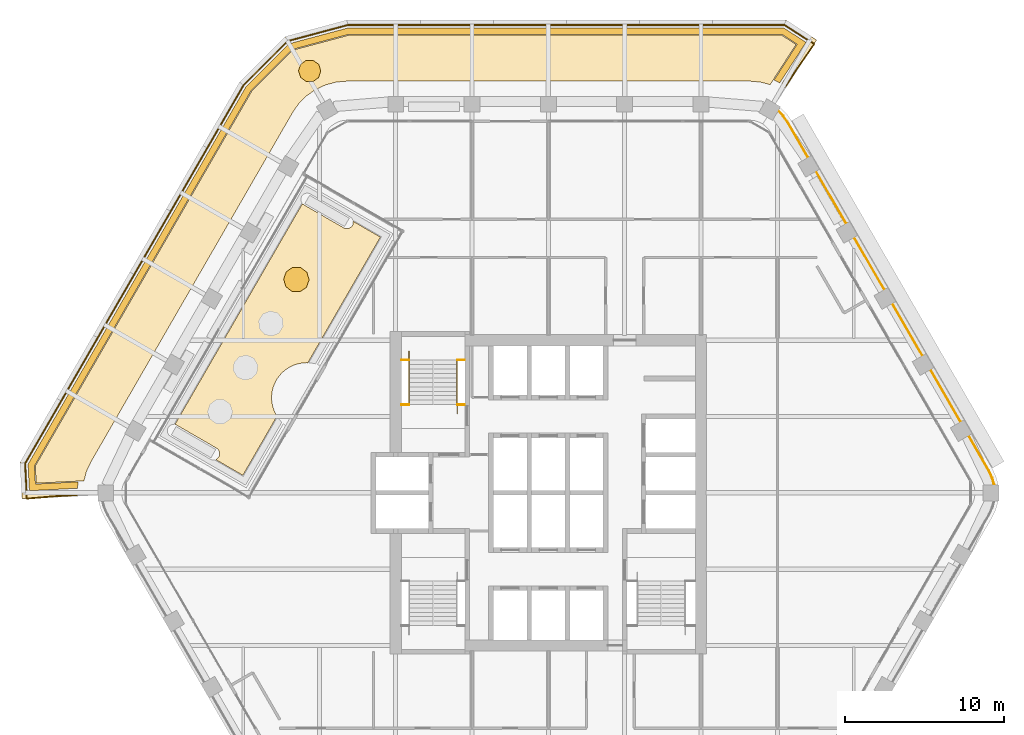
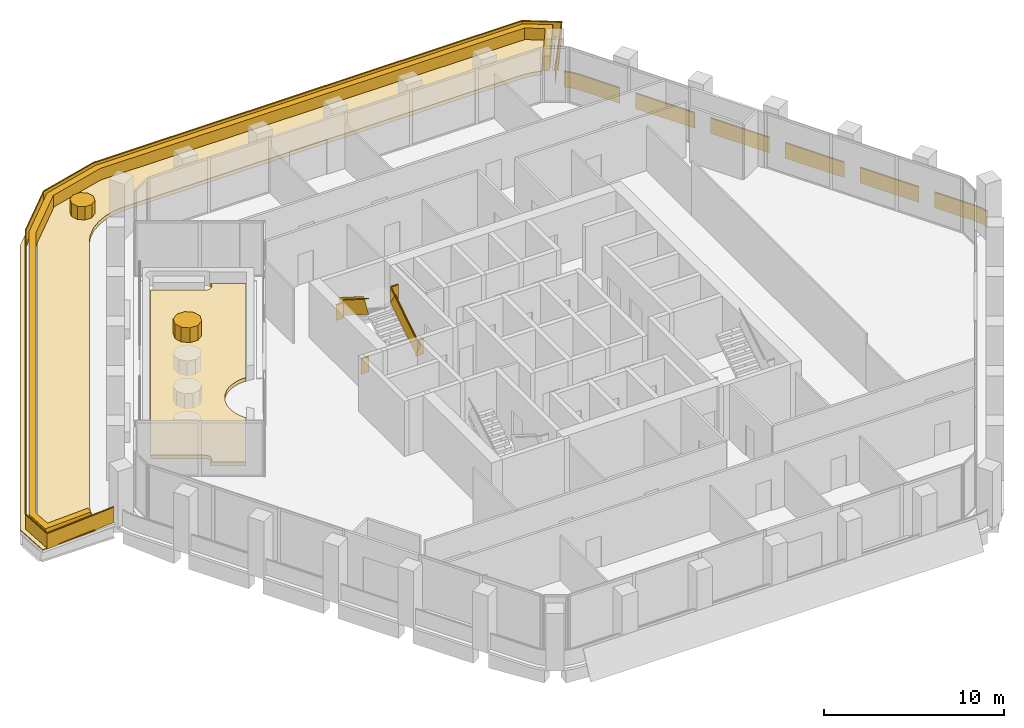
# One storey, part 18 of 18: 6 coverings, 4 railings.
"""IFC4 building model written with IfcOpenShell, lengths in metres."""

from ifc_helpers import new_model, si_unit, direction, frame, frame_2d, origin, origin_2d, place, context, subcontext, project, spatial, polyline, rectangle, outline, extrude, material, layer, layer_set, type_object, element, save


model = new_model("IFC4")

# Units and contexts
model_context = context("Model", 3, precision=1e-05, world=origin(), true_north=direction((0.0, 1.0)))
body_context = subcontext(model_context, "Body", "Model", "MODEL_VIEW")
ifc_project = project(units=[si_unit("LENGTHUNIT", "METRE"), si_unit("AREAUNIT", "SQUARE_METRE"), si_unit("VOLUMEUNIT", "CUBIC_METRE"), si_unit("PLANEANGLEUNIT", "RADIAN"), si_unit("MASSUNIT", "GRAM", prefix="KILO")], contexts=[model_context])

# Site, building, storey
site_placement = place(None, origin())
site = spatial("IfcSite", under=ifc_project, at=site_placement, CompositionType="ELEMENT")
building_placement = place(site_placement, origin())
building = spatial("IfcBuilding", under=site, at=building_placement, Name="Kolab Exchange Tower", CompositionType="ELEMENT")
storey_placement = place(building_placement, frame((0.0, 0.0, 150.5)))
storey = spatial("IfcBuildingStorey", under=building, at=storey_placement, Name="L30", CompositionType="ELEMENT", Elevation=150.5)

# Covering
ifc_material_1 = material(Name="Flowering shrub planting", Category="soil")
ifc_layer_1 = layer(ifc_material_1, 1.0)
ifc_layer_set_1 = layer_set([ifc_layer_1], Name="Flowering shrub planting")
covering_type_1 = type_object("IfcCoveringType", Name="FLOWERING SHRUB PLANTING", PredefinedType="USERDEFINED", material=ifc_layer_set_1)
covering_1_placement = place(storey_placement, frame((0.0, 0.0, 0.25)))
element("IfcCovering", 1, at=covering_1_placement, inside=storey, type_object=covering_type_1, Name="Flowering shrub", ObjectType="PLANTING", PredefinedType="USERDEFINED", context=body_context, shape_type="SweptSolid", body=[
    extrude(outline(polyline([(-15.1884765625, 13.87060546875), (-15.580078125, 14.17236328125), (-16.074462890625, 14.1865234375), (-16.482421875, 13.9072265625), (-16.6484375, 13.44140625), (-16.509033203125, 12.967041015625), (-16.117431640625, 12.665283203125), (-15.623291015625, 12.6513671875), (-15.215087890625, 12.930419921875), (-15.049072265625, 13.396240234375), (-15.1884765625, 13.87060546875)])), origin(), (0.0, 0.0, 1.0), 1.0),
])

# Railings
ifc_material_2 = material(Name="Stainless steel 316", Category="steel")
railing_type_1 = type_object("IfcRailingType", Name="GUARD 1100", PredefinedType="GUARDRAIL", material=ifc_material_2)
railing_1_placement = place(storey_placement, frame((-9.25, 5.550048828125, 0.0)))
element("IfcRailing", 2, at=railing_1_placement, inside=storey, type_object=railing_type_1, Name="Guard ST1", PredefinedType="GUARDRAIL", context=body_context, shape_type="SweptSolid", body=[
    extrude(rectangle(XDim=0.05, YDim=0.05, at=origin_2d()), frame((0.0, 0.0, 1.0751953125), z_axis=(1.0, 0.0, 0.0), x_axis=(0.0, 1.0, 0.0)), (0.0, 0.0, 1.0), 0.489990234375),
    extrude(rectangle(XDim=0.012, YDim=1.05009765625, at=frame_2d((0.0, 0.525146484375))), frame((0.0, 0.0, 0.0), z_axis=(1.0, 0.0, 0.0), x_axis=(0.0, 1.0, 0.0)), (0.0, 0.0, 1.0), 0.489990234375),
    extrude(rectangle(XDim=0.05, YDim=0.05, at=origin_2d()), frame((3.510009765625, 0.0, 1.0751953125), z_axis=(1.0, 0.0, 0.0), x_axis=(0.0, 1.0, 0.0)), (0.0, 0.0, 1.0), 0.489990234375),
    extrude(rectangle(XDim=0.012, YDim=1.05009765625, at=frame_2d((0.0, 0.525146484375))), frame((3.510009765625, 0.0, 0.0), z_axis=(1.0, 0.0, 0.0), x_axis=(0.0, 1.0, 0.0)), (0.0, 0.0, 1.0), 0.489990234375),
    extrude(rectangle(XDim=0.05, YDim=0.05, at=origin_2d()), frame((0.0, 2.800048828125, 3.025146484375), z_axis=(1.0, 0.0, 0.0), x_axis=(0.0, 1.0, 0.0)), (0.0, 0.0, 1.0), 0.489990234375),
    extrude(rectangle(XDim=0.012, YDim=1.05009765625, at=frame_2d((0.0, 0.525146484375))), frame((0.0, 2.800048828125, 1.949951171875), z_axis=(1.0, 0.0, 0.0), x_axis=(0.0, 1.0, 0.0)), (0.0, 0.0, 1.0), 0.489990234375),
    extrude(rectangle(XDim=0.05, YDim=0.05, at=origin_2d()), frame((3.510009765625, 2.800048828125, 3.025146484375), z_axis=(1.0, 0.0, 0.0), x_axis=(0.0, 1.0, 0.0)), (0.0, 0.0, 1.0), 0.489990234375),
    extrude(rectangle(XDim=0.012, YDim=1.05009765625, at=frame_2d((0.0, 0.525146484375))), frame((3.510009765625, 2.800048828125, 1.949951171875), z_axis=(1.0, 0.0, 0.0), x_axis=(0.0, 1.0, 0.0)), (0.0, 0.0, 1.0), 0.489990234375),
])
railing_2_placement = place(storey_placement, frame((-5.739990234375, 5.550048828125, 0.17724609375)))
element("IfcRailing", 3, at=railing_2_placement, inside=storey, type_object=railing_type_1, Name="Handrail guard ST1", PredefinedType="GUARDRAIL", context=body_context, shape_type="SweptSolid", body=[
    extrude(rectangle(XDim=0.05, YDim=0.05, at=origin_2d()), frame((0.0, 0.0, 1.0751953125), z_axis=(0.0, 0.844908973607, 0.534910110503), x_axis=(-1.0, 0.0, 0.0)), (0.0, 0.0, 1.0), 3.31396484375),
    extrude(rectangle(XDim=0.012, YDim=1.05009765625, at=frame_2d((0.0, 0.525146484375))), frame((0.0, 0.0, 0.0), z_axis=(0.0, 0.844908973607, 0.534910110503), x_axis=(-1.0, 0.0, 0.0)), (0.0, 0.0, 1.0), 3.31396484375),
    extrude(rectangle(XDim=0.05, YDim=0.05, at=origin_2d()), frame((-3.02001953125, 2.800048828125, 3.025146484375), z_axis=(0.0, -0.844908973607, 0.534910110503), x_axis=(1.0, 0.0, 0.0)), (0.0, 0.0, 1.0), 3.31396484375),
    extrude(rectangle(XDim=0.012, YDim=1.05009765625, at=frame_2d((0.0, 0.525146484375))), frame((-3.02001953125, 2.800048828125, 1.949951171875), z_axis=(0.0, -0.844908973607, 0.534910110503), x_axis=(1.0, 0.0, 0.0)), (0.0, 0.0, 1.0), 3.31396484375),
])
ifc_material_3 = material(Name="Steel S235", Category="steel")
railing_type_2 = type_object("IfcRailingType", Name="GUARD 1100 GLASS BALUSTRADE AND STEEL TOP RAIL", PredefinedType="GUARDRAIL", material=ifc_material_3)
railing_3_placement = place(storey_placement, frame((28.038818359375, 0.49755859375, 0.0)))
element("IfcRailing", 4, at=railing_3_placement, inside=storey, type_object=railing_type_2, Name="Guard", PredefinedType="GUARDRAIL", context=body_context, shape_type="SweptSolid", body=[
    extrude(rectangle(XDim=0.05, YDim=0.05, at=origin_2d()), frame((0.0, 0.0, 1.0751953125), z_axis=(-0.25865627591, 0.965969425465, 0.0), x_axis=(-0.965969425465, -0.25865627591, 0.0)), (0.0, 0.0, 1.0), 0.458740234375),
    extrude(rectangle(XDim=0.012, YDim=1.05009765625, at=frame_2d((0.0, 0.525146484375))), frame((0.0, 0.0, 0.0), z_axis=(-0.25865627591, 0.965969425465, 0.0), x_axis=(-0.965969425465, -0.25865627591, 0.0)), (0.0, 0.0, 1.0), 0.458740234375),
    extrude(rectangle(XDim=0.05, YDim=0.05, at=origin_2d()), frame((-0.11865234375, 0.443115234375, 1.0751953125), z_axis=(-0.422801802984, 0.906222177721, 0.0), x_axis=(-0.906222177721, -0.422801802984, 0.0)), (0.0, 0.0, 1.0), 0.479248046875),
    extrude(rectangle(XDim=0.012, YDim=1.05009765625, at=frame_2d((0.0, 0.525146484375))), frame((-0.11865234375, 0.443115234375, 0.0), z_axis=(-0.422801802984, 0.906222177721, 0.0), x_axis=(-0.906222177721, -0.422801802984, 0.0)), (0.0, 0.0, 1.0), 0.479248046875),
    extrude(rectangle(XDim=0.05, YDim=0.05, at=origin_2d()), frame((-0.3212890625, 0.87744140625, 1.0751953125), z_axis=(-0.499994038704, 0.866028845513, 0.0), x_axis=(-0.866028845513, -0.499994038704, 0.0)), (0.0, 0.0, 1.0), 2.56787109375),
    extrude(rectangle(XDim=0.012, YDim=1.05009765625, at=frame_2d((0.0, 0.525146484375))), frame((-0.3212890625, 0.87744140625, 0.0), z_axis=(-0.499994038704, 0.866028845513, 0.0), x_axis=(-0.866028845513, -0.499994038704, 0.0)), (0.0, 0.0, 1.0), 2.56787109375),
    extrude(rectangle(XDim=0.05, YDim=0.05, at=origin_2d()), frame((-2.105224609375, 3.96728515625, 1.0751953125), z_axis=(-0.500015340139, 0.86601654697, 0.0), x_axis=(-0.86601654697, -0.500015340139, 0.0)), (0.0, 0.0, 1.0), 3.80029296875),
    extrude(rectangle(XDim=0.012, YDim=1.05009765625, at=frame_2d((0.0, 0.525146484375))), frame((-2.105224609375, 3.96728515625, 0.0), z_axis=(-0.500015340139, 0.86601654697, 0.0), x_axis=(-0.86601654697, -0.500015340139, 0.0)), (0.0, 0.0, 1.0), 3.80029296875),
    extrude(rectangle(XDim=0.05, YDim=0.05, at=origin_2d()), frame((-4.50537109375, 8.124267578125, 1.0751953125), z_axis=(-0.499967155389, 0.866044365799, 0.0), x_axis=(-0.866044365799, -0.499967155389, 0.0)), (0.0, 0.0, 1.0), 3.800048828125),
    extrude(rectangle(XDim=0.012, YDim=1.05009765625, at=frame_2d((0.0, 0.525146484375))), frame((-4.50537109375, 8.124267578125, 0.0), z_axis=(-0.499967155389, 0.866044365799, 0.0), x_axis=(-0.866044365799, -0.499967155389, 0.0)), (0.0, 0.0, 1.0), 3.800048828125),
    extrude(rectangle(XDim=0.05, YDim=0.05, at=origin_2d()), frame((-6.9052734375, 12.28125, 1.0751953125), z_axis=(-0.500043160704, 0.866000483506, 0.0), x_axis=(-0.866000483506, -0.500043160704, 0.0)), (0.0, 0.0, 1.0), 3.800048828125),
    extrude(rectangle(XDim=0.012, YDim=1.05009765625, at=frame_2d((0.0, 0.525146484375))), frame((-6.9052734375, 12.28125, 0.0), z_axis=(-0.500043160704, 0.866000483506, 0.0), x_axis=(-0.866000483506, -0.500043160704, 0.0)), (0.0, 0.0, 1.0), 3.800048828125),
    extrude(rectangle(XDim=0.05, YDim=0.05, at=origin_2d()), frame((-9.305419921875, 16.438232421875, 1.0751953125), z_axis=(-0.499994975061, 0.866028304915, 0.0), x_axis=(-0.866028304915, -0.499994975061, 0.0)), (0.0, 0.0, 1.0), 3.7998046875),
    extrude(rectangle(XDim=0.012, YDim=1.05009765625, at=frame_2d((0.0, 0.525146484375))), frame((-9.305419921875, 16.438232421875, 0.0), z_axis=(-0.499994975061, 0.866028304915, 0.0), x_axis=(-0.866028304915, -0.499994975061, 0.0)), (0.0, 0.0, 1.0), 3.7998046875),
    extrude(rectangle(XDim=0.05, YDim=0.05, at=origin_2d()), frame((-11.705322265625, 20.594970703125, 1.0751953125), z_axis=(-0.499952873616, 0.866052610505, 0.0), x_axis=(-0.866052610505, -0.499952873616, 0.0)), (0.0, 0.0, 1.0), 2.568115234375),
    extrude(rectangle(XDim=0.012, YDim=1.05009765625, at=frame_2d((0.0, 0.525146484375))), frame((-11.705322265625, 20.594970703125, 0.0), z_axis=(-0.499952873616, 0.866052610505, 0.0), x_axis=(-0.866052610505, -0.499952873616, 0.0)), (0.0, 0.0, 1.0), 2.568115234375),
    extrude(rectangle(XDim=0.05, YDim=0.05, at=origin_2d()), frame((-12.9892578125, 22.819091796875, 1.0751953125), z_axis=(-0.573599091554, 0.819136180478, 0.0), x_axis=(-0.819136180478, -0.573599091554, 0.0)), (0.0, 0.0, 1.0), 0.479248046875),
    extrude(rectangle(XDim=0.012, YDim=1.05009765625, at=frame_2d((0.0, 0.525146484375))), frame((-12.9892578125, 22.819091796875, 0.0), z_axis=(-0.573599091554, 0.819136180478, 0.0), x_axis=(-0.819136180478, -0.573599091554, 0.0)), (0.0, 0.0, 1.0), 0.479248046875),
    extrude(rectangle(XDim=0.05, YDim=0.05, at=origin_2d()), frame((-13.26416015625, 23.211669921875, 1.0751953125), z_axis=(-0.70737286085, 0.706840601361, 0.0), x_axis=(-0.706840601361, -0.70737286085, 0.0)), (0.0, 0.0, 1.0), 0.458740234375),
    extrude(rectangle(XDim=0.012, YDim=1.05009765625, at=frame_2d((0.0, 0.525146484375))), frame((-13.26416015625, 23.211669921875, 0.0), z_axis=(-0.70737286085, 0.706840601361, 0.0), x_axis=(-0.706840601361, -0.70737286085, 0.0)), (0.0, 0.0, 1.0), 0.458740234375),
])
railing_4_placement = place(storey_placement, frame((-28.3359375, 0.0, 0.0)))
element("IfcRailing", 5, at=railing_4_placement, inside=storey, type_object=railing_type_2, Name="Terrace guard", PredefinedType="GUARDRAIL", context=body_context, shape_type="SweptSolid", body=[
    extrude(rectangle(XDim=0.05, YDim=0.05, at=origin_2d()), frame((0.0, 0.0, 1.0751953125), z_axis=(-0.996530389676, -0.083229696942, 0.0), x_axis=(0.083229696942, -0.996530389676, 0.0)), (0.0, 0.0, 1.0), 4.496826171875),
    extrude(rectangle(XDim=0.012, YDim=1.05009765625, at=frame_2d((0.0, 0.525146484375))), frame((0.0, 0.0, 0.0), z_axis=(-0.996530389676, -0.083229696942, 0.0), x_axis=(0.083229696942, -0.996530389676, 0.0)), (0.0, 0.0, 1.0), 4.496826171875),
    extrude(rectangle(XDim=0.05, YDim=0.05, at=origin_2d()), frame((-4.481201171875, -0.374267578125, 1.0751953125), z_axis=(-0.050003246507, 0.998749055238, 0.0), x_axis=(-0.998749055238, -0.050003246507, 0.0)), (0.0, 0.0, 1.0), 2.226318359375),
    extrude(rectangle(XDim=0.012, YDim=1.05009765625, at=frame_2d((0.0, 0.525146484375))), frame((-4.481201171875, -0.374267578125, 0.0), z_axis=(-0.050003246507, 0.998749055238, 0.0), x_axis=(-0.998749055238, -0.050003246507, 0.0)), (0.0, 0.0, 1.0), 2.226318359375),
    extrude(rectangle(XDim=0.05, YDim=0.05, at=origin_2d()), frame((-4.592529296875, 1.849365234375, 1.0751953125), z_axis=(0.500003555397, 0.866023351065, 0.0), x_axis=(-0.866023351065, 0.500003555397, 0.0)), (0.0, 0.0, 1.0), 27.490966796875),
    extrude(rectangle(XDim=0.012, YDim=1.05009765625, at=frame_2d((0.0, 0.525146484375))), frame((-4.592529296875, 1.849365234375, 0.0), z_axis=(0.500003555397, 0.866023351065, 0.0), x_axis=(-0.866023351065, 0.500003555397, 0.0)), (0.0, 0.0, 1.0), 27.490966796875),
    extrude(rectangle(XDim=0.05, YDim=0.05, at=origin_2d()), frame((9.153076171875, 25.6572265625, 1.0751953125), z_axis=(0.707106781187, 0.707106781187, 0.0), x_axis=(-0.707106781187, 0.707106781187, 0.0)), (0.0, 0.0, 1.0), 3.917724609375),
    extrude(rectangle(XDim=0.012, YDim=1.05009765625, at=frame_2d((0.0, 0.525146484375))), frame((9.153076171875, 25.6572265625, 0.0), z_axis=(0.707106781187, 0.707106781187, 0.0), x_axis=(-0.707106781187, 0.707106781187, 0.0)), (0.0, 0.0, 1.0), 3.917724609375),
    extrude(rectangle(XDim=0.05, YDim=0.05, at=origin_2d()), frame((11.92333984375, 28.427490234375, 1.0751953125), z_axis=(0.965929136584, 0.258806690596, 0.0), x_axis=(-0.258806690596, 0.965929136584, 0.0)), (0.0, 0.0, 1.0), 3.917724609375),
    extrude(rectangle(XDim=0.012, YDim=1.05009765625, at=frame_2d((0.0, 0.525146484375))), frame((11.92333984375, 28.427490234375, 0.0), z_axis=(0.965929136584, 0.258806690596, 0.0), x_axis=(-0.258806690596, 0.965929136584, 0.0)), (0.0, 0.0, 1.0), 3.917724609375),
    extrude(rectangle(XDim=0.05, YDim=0.05, at=origin_2d()), frame((15.70751953125, 29.44140625, 1.0751953125), z_axis=(1.0, 0.0, 0.0), x_axis=(0.0, 1.0, 0.0)), (0.0, 0.0, 1.0), 27.490966796875),
    extrude(rectangle(XDim=0.012, YDim=1.05009765625, at=frame_2d((0.0, 0.525146484375))), frame((15.70751953125, 29.44140625, 0.0), z_axis=(1.0, 0.0, 0.0), x_axis=(0.0, 1.0, 0.0)), (0.0, 0.0, 1.0), 27.490966796875),
    extrude(rectangle(XDim=0.05, YDim=0.05, at=origin_2d()), frame((43.198486328125, 29.44140625, 1.0751953125), z_axis=(0.839993562867, -0.542596364108, 0.0), x_axis=(0.542596364108, 0.839993562867, 0.0)), (0.0, 0.0, 1.0), 2.226318359375),
    extrude(rectangle(XDim=0.012, YDim=1.05009765625, at=frame_2d((0.0, 0.525146484375))), frame((43.198486328125, 29.44140625, 0.0), z_axis=(0.839993562867, -0.542596364108, 0.0), x_axis=(0.542596364108, 0.839993562867, 0.0)), (0.0, 0.0, 1.0), 2.226318359375),
    extrude(rectangle(XDim=0.05, YDim=0.05, at=origin_2d()), frame((45.068603515625, 28.2333984375, 1.0751953125), z_axis=(-0.570324587803, -0.821419420605, 0.0), x_axis=(0.821419420605, -0.570324587803, 0.0)), (0.0, 0.0, 1.0), 4.496826171875),
    extrude(rectangle(XDim=0.012, YDim=1.05009765625, at=frame_2d((0.0, 0.525146484375))), frame((45.068603515625, 28.2333984375, 0.0), z_axis=(-0.570324587803, -0.821419420605, 0.0), x_axis=(0.821419420605, -0.570324587803, 0.0)), (0.0, 0.0, 1.0), 4.496826171875),
])

# Coverings
ifc_material_4 = material(Name="Dense shrub planting", Category="soil")
ifc_layer_2 = layer(ifc_material_4, 1.39990234375)
ifc_layer_set_2 = layer_set([ifc_layer_2], Name="Dense shrub planting")
covering_type_2 = type_object("IfcCoveringType", Name="PLANTED TRELLIS SCREEN AND SHRUB BED", PredefinedType="USERDEFINED", material=ifc_layer_set_2)
covering_2_placement = place(storey_placement, frame((0.0, 0.0, 0.25)))
element("IfcCovering", 6, at=covering_2_placement, inside=storey, type_object=covering_type_2, Name="Shrub bed", ObjectType="PLANTING", PredefinedType="USERDEFINED", context=body_context, shape_type="SweptSolid", body=[
    extrude(outline(polyline([(-14.313720703125, 26.539306640625), (-14.447265625, 26.95068359375), (-14.79736328125, 27.205078125), (-15.22998046875, 27.205078125), (-15.579833984375, 26.95068359375), (-15.713623046875, 26.539306640625), (-15.579833984375, 26.1279296875), (-15.22998046875, 25.87353515625), (-14.79736328125, 25.87353515625), (-14.447265625, 26.1279296875), (-14.313720703125, 26.539306640625)])), origin(), (0.0, 0.0, 1.0), 0.89990234375),
])
ifc_material_5 = material(Name="Planting soil and turf", Category="soil")
ifc_layer_3 = layer(ifc_material_5, 0.25)
ifc_layer_set_3 = layer_set([ifc_layer_3], Name="Planting soil and turf")
covering_type_3 = type_object("IfcCoveringType", Name="PLANTING SOIL AND TURF 250", PredefinedType="USERDEFINED", material=ifc_layer_set_3)
covering_3_placement = place(storey_placement, origin())
element("IfcCovering", 7, at=covering_3_placement, inside=storey, type_object=covering_type_3, Name="Planting soil and turf", ObjectType="PLANTING", PredefinedType="USERDEFINED", context=body_context, shape_type="SweptSolid", body=[
    extrude(outline(polyline([(-20.92626953125, 2.09375), (-20.89453125, 2.107421875), (-20.8603515625, 2.12646484375), (-20.827880859375, 2.14892578125), (-20.798095703125, 2.17431640625), (-20.770751953125, 2.202392578125), (-20.746337890625, 2.233154296875), (-20.72509765625, 2.26611328125), (-20.707275390625, 2.301025390625), (-20.692626953125, 2.337646484375), (-20.681884765625, 2.375244140625), (-20.6748046875, 2.4140625), (-20.671630859375, 2.453125), (-20.67236328125, 2.492431640625), (-20.6767578125, 2.53125), (-20.68505859375, 2.569580078125), (-20.697021484375, 2.60693359375), (-20.712646484375, 2.64306640625), (-20.73193359375, 2.677490234375), (-20.754150390625, 2.709716796875), (-20.779541015625, 2.739501953125), (-20.807861328125, 2.766845703125), (-20.838623046875, 2.791259765625), (-20.87158203125, 2.8125), (-23.36572265625, 4.25244140625), (-23.400634765625, 4.2705078125), (-23.43701171875, 4.284912109375), (-23.474853515625, 4.295654296875), (-23.4892578125, 4.29833984375), (-15.467041015625, 18.193115234375), (-15.45751953125, 18.181884765625), (-15.429443359375, 18.154541015625), (-15.398681640625, 18.130126953125), (-15.36572265625, 18.10888671875), (-12.87158203125, 16.6689453125), (-12.836669921875, 16.651123046875), (-12.800048828125, 16.63671875), (-12.762451171875, 16.625732421875), (-12.7236328125, 16.618896484375), (-12.6845703125, 16.615478515625), (-12.645263671875, 16.6162109375), (-12.6064453125, 16.62060546875), (-12.56787109375, 16.62890625), (-12.530517578125, 16.64111328125), (-12.49462890625, 16.65673828125), (-12.460205078125, 16.67578125), (-12.427978515625, 16.697998046875), (-12.39794921875, 16.723388671875), (-12.370849609375, 16.751708984375), (-12.346435546875, 16.782470703125), (-12.3251953125, 16.8154296875), (-12.30712890625, 16.850341796875), (-12.292724609375, 16.88671875), (-12.281982421875, 16.924560546875), (-12.27490234375, 16.963134765625), (-12.271728515625, 17.002197265625), (-12.2724609375, 17.04150390625), (-12.2763671875, 17.075927734375), (-10.563232421875, 16.0869140625), (-15.127685546875, 8.18115234375), (-15.206298828125, 8.18505859375), (-15.421875, 8.17431640625), (-15.635498046875, 8.142822265625), (-15.844970703125, 8.09033203125), (-16.048095703125, 8.017578125), (-16.243408203125, 7.92529296875), (-16.428466796875, 7.814208984375), (-16.60205078125, 7.685546875), (-16.761962890625, 7.54052734375), (-16.906982421875, 7.380615234375), (-17.03564453125, 7.207275390625), (-17.146484375, 7.02197265625), (-17.23876953125, 6.826904296875), (-17.3115234375, 6.62353515625), (-17.364013671875, 6.4140625), (-17.395751953125, 6.20068359375), (-17.40625, 5.98486328125), (-17.395751953125, 5.769287109375), (-17.364013671875, 5.5556640625), (-17.3115234375, 5.346435546875), (-17.23876953125, 5.14306640625), (-17.146484375, 4.947998046875), (-17.069091796875, 4.818603515625), (-19.21337890625, 1.104736328125), (-20.92626953125, 2.09375)])), origin(), (0.0, 0.0, 1.0), 0.25),
])
covering_4_placement = place(storey_placement, origin())
element("IfcCovering", 8, at=covering_4_placement, inside=storey, type_object=covering_type_3, Name="Planting soil and turf", ObjectType="PLANTING", PredefinedType="USERDEFINED", context=body_context, shape_type="SweptSolid", body=[
    extrude(outline(polyline([(-32.215576171875, 0.60693359375), (-32.269775390625, 1.6904296875), (-18.66259765625, 25.25830078125), (-16.076171875, 27.8447265625), (-12.542724609375, 28.79150390625), (14.6708984375, 28.79150390625), (15.58203125, 28.202880859375), (13.94921875, 25.67578125), (13.3544921875, 25.835205078125), (12.709228515625, 25.8916015625), (-12.709228515625, 25.8916015625), (-13.3544921875, 25.835205078125), (-14.020263671875, 25.65673828125), (-14.644775390625, 25.365478515625), (-15.209228515625, 24.97021484375), (-15.69677734375, 24.48291015625), (-16.068115234375, 23.952392578125), (-28.77734375, 1.939208984375), (-29.051025390625, 1.352294921875), (-29.21044921875, 0.75732421875), (-32.215576171875, 0.60693359375)])), origin(), (0.0, 0.0, 1.0), 0.25),
])
ifc_material_6 = material(Name="Limestone coping", Category="masonry")
ifc_layer_4 = layer(ifc_material_6, 0.050048828125)
ifc_layer_set_4 = layer_set([ifc_layer_4], Name="Limestone coping")
covering_type_4 = type_object("IfcCoveringType", Name="TERRACE EDGE BAND LIMESTONE 50", PredefinedType="CLADDING", material=ifc_layer_set_4)
covering_5_placement = place(storey_placement, origin())
element("IfcCovering", 9, at=covering_5_placement, inside=storey, type_object=covering_type_4, Name="Terrace edge band", PredefinedType="CLADDING", context=body_context, shape_type="SweptSolid", body=[
    extrude(outline(polyline([(-33.212158203125, 1.917724609375), (-19.406982421875, 25.8291015625), (-16.5576171875, 28.678466796875), (-12.665283203125, 29.721435546875), (14.9453125, 29.721435546875), (16.867919921875, 28.4794921875), (14.980224609375, 25.557861328125), (14.91357421875, 25.6044921875), (14.81787109375, 25.66552734375), (14.71728515625, 25.7177734375), (14.6787109375, 25.73583984375), (16.384033203125, 28.37548828125), (14.842041015625, 29.37158203125), (-12.619140625, 29.37158203125), (-16.37646484375, 28.36474609375), (-19.126708984375, 25.6142578125), (-32.857421875, 1.832275390625), (-32.765869140625, -0.001220703125), (-29.627197265625, 0.15576171875), (-29.630859375, 0.11328125), (-29.635986328125, 0.0), (-29.630859375, -0.11328125), (-29.623779296875, -0.194580078125), (-33.097900390625, -0.368408203125), (-33.212158203125, 1.917724609375)])), origin(), (0.0, 0.0, 1.0), 0.050048828125),
])
ifc_material_7 = material(Name="Terrace hedge planting", Category="soil")
ifc_layer_5 = layer(ifc_material_7, 1.0)
ifc_layer_set_5 = layer_set([ifc_layer_5], Name="Terrace hedge planting")
covering_type_5 = type_object("IfcCoveringType", Name="TERRACE HEDGE 1000 X 400", PredefinedType="USERDEFINED", material=ifc_layer_set_5)
covering_6_placement = place(storey_placement, origin())
element("IfcCovering", 10, at=covering_6_placement, inside=storey, type_object=covering_type_5, Name="Terrace hedge", ObjectType="PLANTING", PredefinedType="USERDEFINED", context=body_context, shape_type="SweptSolid", body=[
    extrude(outline(polyline([(-32.725830078125, 1.80029296875), (-19.022705078125, 25.534423828125), (-16.30908203125, 28.248291015625), (-12.60205078125, 29.241455078125), (14.8037109375, 29.241455078125), (16.2041015625, 28.336669921875), (14.559814453125, 25.791259765625), (14.243408203125, 25.938720703125), (14.1923828125, 25.9599609375), (15.651123046875, 28.2177734375), (14.685791015625, 28.841552734375), (-12.54931640625, 28.841552734375), (-16.10205078125, 27.8896484375), (-18.70263671875, 25.288818359375), (-32.3203125, 1.70263671875), (-32.262939453125, 0.554443359375), (-29.578125, 0.68896484375), (-29.58544921875, 0.63427734375), (-29.61572265625, 0.28662109375), (-32.642333984375, 0.135009765625), (-32.725830078125, 1.80029296875)])), origin(), (0.0, 0.0, 1.0), 1.0),
])

save(model, "model.ifc")
